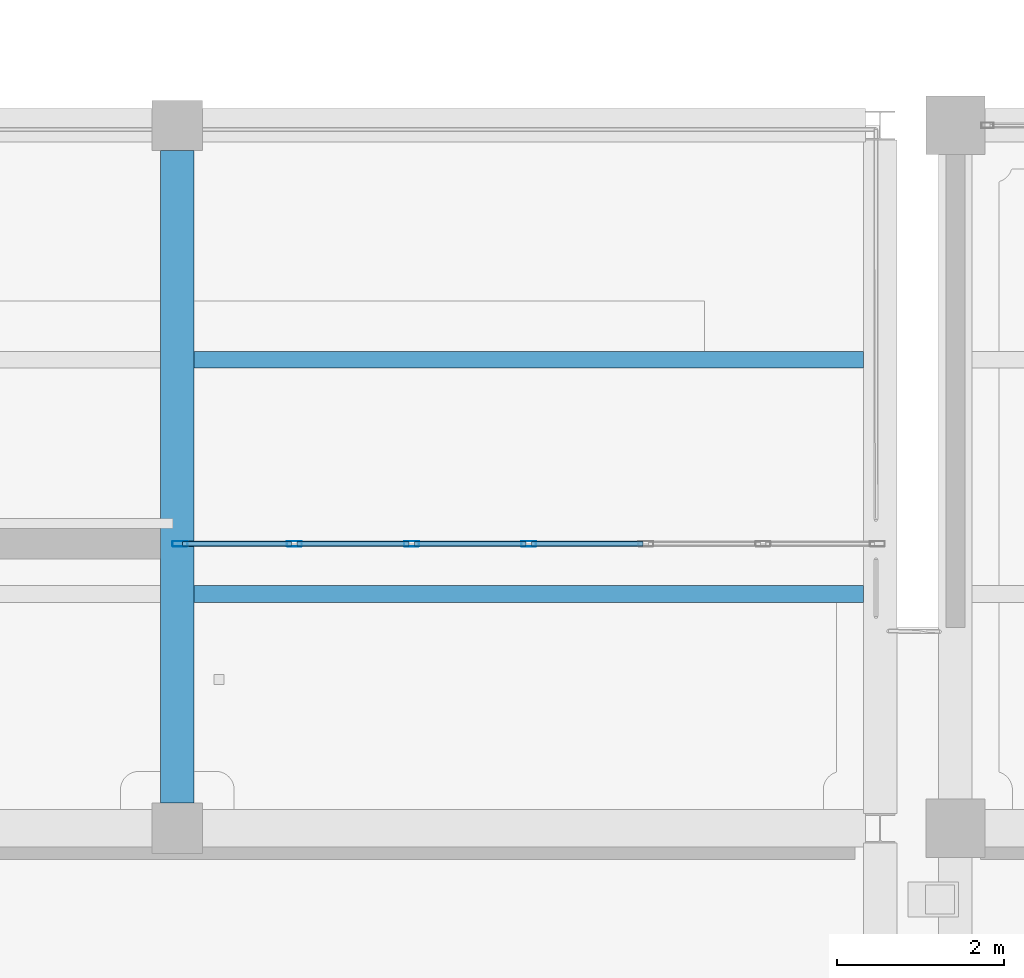
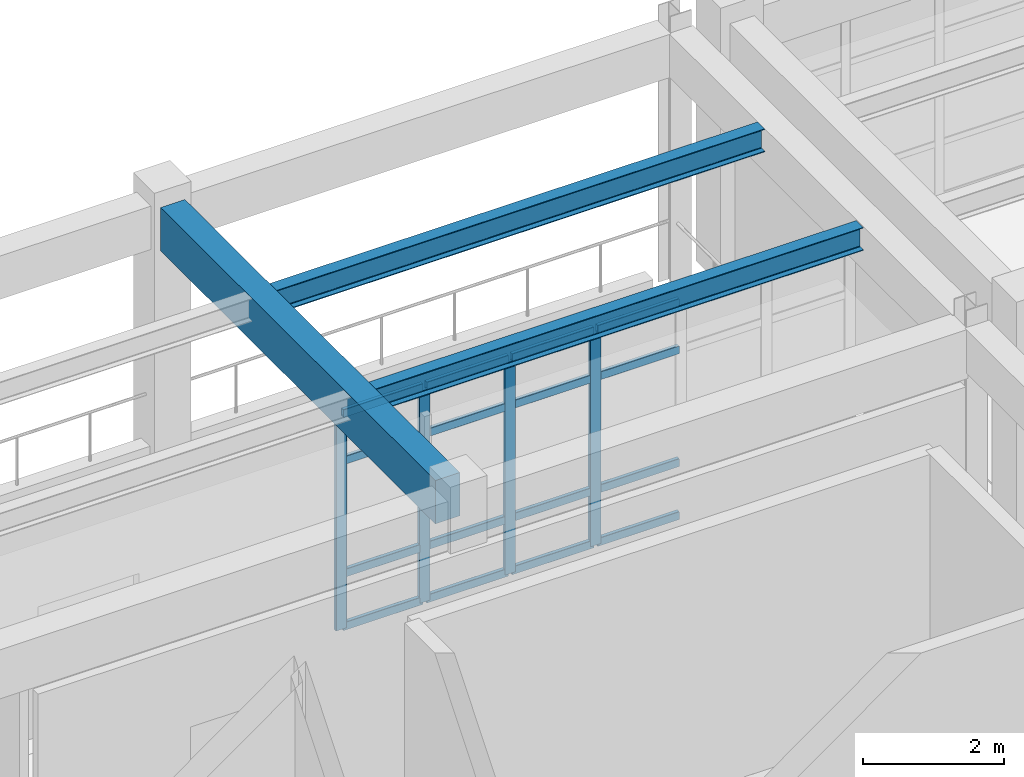
# One storey, part 14 of 98: 20 members, 3 beams, 1 element without a shape of its own.
"""IFC4 building model written with IfcOpenShell, lengths in metres."""

from ifc_helpers import new_model, si_unit, direction, frame, origin, origin_2d, place, context, subcontext, project, spatial, rectangle, hollow_rectangle, i_section, extrude, material, material_profile, profile_set, type_object, element, aggregate, save


model = new_model("IFC4")

# Units and contexts
model_context = context("Model", 3, precision=1e-05, world=origin(), true_north=direction((0.0, 1.0)))
body_context = subcontext(model_context, "Body", "Model", "MODEL_VIEW")
ifc_project = project(units=[si_unit("LENGTHUNIT", "METRE"), si_unit("AREAUNIT", "SQUARE_METRE"), si_unit("VOLUMEUNIT", "CUBIC_METRE"), si_unit("PLANEANGLEUNIT", "RADIAN"), si_unit("MASSUNIT", "GRAM", prefix="KILO")], contexts=[model_context])

# Site, building, storey
site_placement = place(None, origin())
site = spatial("IfcSite", under=ifc_project, at=site_placement, CompositionType="ELEMENT")
building_placement = place(site_placement, origin())
building = spatial("IfcBuilding", under=site, at=building_placement, Name="Canglan Escarpment Cableway Terminal", CompositionType="ELEMENT")
storey_placement = place(building_placement, frame((0.0, 0.0, 9.60009765625)))
storey = spatial("IfcBuildingStorey", under=building, at=storey_placement, Name="L02", CompositionType="ELEMENT", Elevation=9.60009765625)

# Beam
ifc_material_1 = material(Name="Concrete C40", Category="concrete")
ifc_material_profile_1 = material_profile(ifc_material_1, rectangle(XDim=0.39990234375, YDim=0.75, at=origin_2d()), Name="RC 400x750")
ifc_profile_set_1 = profile_set([ifc_material_profile_1], Name="Concrete C40")
beam_type_1 = type_object("IfcBeamType", Name="BM-RC400x750", PredefinedType="BEAM", material=ifc_profile_set_1)
beam_placement = place(storey_placement, frame((67.699951171875, 16.699951171875, 4.14501953125), z_axis=(0.0, 1.0, 0.0), x_axis=(-1.0, 0.0, 0.0)))
element("IfcBeam", 1, at=beam_placement, inside=storey, type_object=beam_type_1, Name="Primary transverse girder B-03", PredefinedType="BEAM", context=body_context, shape_type="SweptSolid", body=[
    extrude(rectangle(XDim=0.39990234375, YDim=0.75, at=origin_2d()), origin(), (0.0, 0.0, 1.0), 7.800048828125),
])

# Curtain wall, members
ifc_material_2 = material(Name="Anodized bronze aluminium and Low-E double glazing", Category="aluminium")
curtain_wall_type = type_object("IfcCurtainWallType", Name="CW-BAY-8400x3750", PredefinedType="NOTDEFINED", material=ifc_material_2)
curtain_wall_placement = place(storey_placement, origin())
curtain_wall = element("IfcCurtainWall", 2, at=curtain_wall_placement, inside=storey, type_object=curtain_wall_type, Name="Classical bay-between-piers glazed curtain wall CW-08", PredefinedType="NOTDEFINED")
ifc_material_3 = material(Name="Thermally broken anodized aluminium 6063-T6", Category="aluminium")
ifc_material_profile_2 = material_profile(ifc_material_3, hollow_rectangle(XDim=0.06494140625, YDim=0.179931640625, WallThickness=0.00390625, InnerFilletRadius=0.00390625, OuterFilletRadius=0.008056640625, at=origin_2d()), Name="ALU-MULL 65x180x4")
ifc_profile_set_2 = profile_set([ifc_material_profile_2], Name="Thermally broken anodized aluminium 6063-T6")
member_type_1 = type_object("IfcMemberType", Name="CWM-03", PredefinedType="MULLION", material=ifc_profile_set_2)
member_1_placement = place(storey_placement, frame((71.89990234375, 19.800048828125, 0.0), z_axis=(0.0, 0.0, 1.0), x_axis=(0.0, -1.0, 0.0)))
member_1 = element("IfcMember", 3, at=member_1_placement, type_object=member_type_1, Name="CW-08 mullion 4", PredefinedType="MULLION", context=body_context, shape_type="SweptSolid", body=[
    extrude(hollow_rectangle(XDim=0.06494140625, YDim=0.179931640625, WallThickness=0.00390625, InnerFilletRadius=0.00390625, OuterFilletRadius=0.008056640625, at=origin_2d()), origin(), (0.0, 0.0, 1.0), 3.7548828125),
])
member_2_placement = place(storey_placement, frame((70.5, 19.800048828125, 0.0), z_axis=(0.0, 0.0, 1.0), x_axis=(0.0, -1.0, 0.0)))
member_2 = element("IfcMember", 4, at=member_2_placement, type_object=member_type_1, Name="CW-08 mullion 5", PredefinedType="MULLION", context=body_context, shape_type="SweptSolid", body=[
    extrude(hollow_rectangle(XDim=0.06494140625, YDim=0.179931640625, WallThickness=0.00390625, InnerFilletRadius=0.00390625, OuterFilletRadius=0.008056640625, at=origin_2d()), origin(), (0.0, 0.0, 1.0), 3.7548828125),
])
member_3_placement = place(storey_placement, frame((69.10009765625, 19.800048828125, 0.0), z_axis=(0.0, 0.0, 1.0), x_axis=(0.0, -1.0, 0.0)))
member_3 = element("IfcMember", 5, at=member_3_placement, type_object=member_type_1, Name="CW-08 mullion 6", PredefinedType="MULLION", context=body_context, shape_type="SweptSolid", body=[
    extrude(hollow_rectangle(XDim=0.06494140625, YDim=0.179931640625, WallThickness=0.00390625, InnerFilletRadius=0.00390625, OuterFilletRadius=0.008056640625, at=origin_2d()), origin(), (0.0, 0.0, 1.0), 3.7548828125),
])
member_4_placement = place(storey_placement, frame((67.732421875, 19.800048828125, 0.0), z_axis=(0.0, 0.0, 1.0), x_axis=(0.0, -1.0, 0.0)))
member_4 = element("IfcMember", 6, at=member_4_placement, type_object=member_type_1, Name="CW-08 mullion 7", PredefinedType="MULLION", context=body_context, shape_type="SweptSolid", body=[
    extrude(hollow_rectangle(XDim=0.06494140625, YDim=0.179931640625, WallThickness=0.00390625, InnerFilletRadius=0.00390625, OuterFilletRadius=0.008056640625, at=origin_2d()), origin(), (0.0, 0.0, 1.0), 3.7548828125),
])
ifc_material_profile_3 = material_profile(ifc_material_3, hollow_rectangle(XDim=0.06494140625, YDim=0.139892578125, WallThickness=0.00341796875, InnerFilletRadius=0.00341796875, OuterFilletRadius=0.007080078125, at=origin_2d()), Name="ALU-TRAN 65x140x3.5")
ifc_profile_set_3 = profile_set([ifc_material_profile_3], Name="Thermally broken anodized aluminium 6063-T6")
member_type_2 = type_object("IfcMemberType", Name="CWT-03", PredefinedType="USERDEFINED", material=ifc_profile_set_3)
member_5_placement = place(storey_placement, frame((73.267578125, 19.800048828125, 0.032470703125), z_axis=(-1.0, 0.0, 0.0), x_axis=(0.0, -1.0, 0.0)))
member_5 = element("IfcMember", 7, at=member_5_placement, type_object=member_type_2, Name="CW-08 transom 3.1", ObjectType="TRANSOM", PredefinedType="USERDEFINED", context=body_context, shape_type="SweptSolid", body=[
    extrude(hollow_rectangle(XDim=0.06494140625, YDim=0.139892578125, WallThickness=0.00341796875, InnerFilletRadius=0.00341796875, OuterFilletRadius=0.007080078125, at=origin_2d()), origin(), (0.0, 0.0, 1.0), 1.3349609375),
])
member_6_placement = place(storey_placement, frame((73.267578125, 19.800048828125, 0.949951171875), z_axis=(-1.0, 0.0, 0.0), x_axis=(0.0, -1.0, 0.0)))
member_6 = element("IfcMember", 8, at=member_6_placement, type_object=member_type_2, Name="CW-08 transom 3.2", ObjectType="TRANSOM", PredefinedType="USERDEFINED", context=body_context, shape_type="SweptSolid", body=[
    extrude(hollow_rectangle(XDim=0.06494140625, YDim=0.139892578125, WallThickness=0.00341796875, InnerFilletRadius=0.00341796875, OuterFilletRadius=0.007080078125, at=origin_2d()), origin(), (0.0, 0.0, 1.0), 1.3349609375),
])
member_7_placement = place(storey_placement, frame((73.267578125, 19.800048828125, 2.90478515625), z_axis=(-1.0, 0.0, 0.0), x_axis=(0.0, -1.0, 0.0)))
member_7 = element("IfcMember", 9, at=member_7_placement, type_object=member_type_2, Name="CW-08 transom 3.3", ObjectType="TRANSOM", PredefinedType="USERDEFINED", context=body_context, shape_type="SweptSolid", body=[
    extrude(hollow_rectangle(XDim=0.06494140625, YDim=0.139892578125, WallThickness=0.00341796875, InnerFilletRadius=0.00341796875, OuterFilletRadius=0.007080078125, at=origin_2d()), origin(), (0.0, 0.0, 1.0), 1.3349609375),
])
member_8_placement = place(storey_placement, frame((73.267578125, 19.800048828125, 3.722412109375), z_axis=(-1.0, 0.0, 0.0), x_axis=(0.0, -1.0, 0.0)))
member_8 = element("IfcMember", 10, at=member_8_placement, type_object=member_type_2, Name="CW-08 transom 3.4", ObjectType="TRANSOM", PredefinedType="USERDEFINED", context=body_context, shape_type="SweptSolid", body=[
    extrude(hollow_rectangle(XDim=0.06494140625, YDim=0.139892578125, WallThickness=0.00341796875, InnerFilletRadius=0.00341796875, OuterFilletRadius=0.007080078125, at=origin_2d()), origin(), (0.0, 0.0, 1.0), 1.3349609375),
])
member_9_placement = place(storey_placement, frame((71.867431640625, 19.800048828125, 0.032470703125), z_axis=(-1.0, 0.0, 0.0), x_axis=(0.0, -1.0, 0.0)))
member_9 = element("IfcMember", 11, at=member_9_placement, type_object=member_type_2, Name="CW-08 transom 4.1", ObjectType="TRANSOM", PredefinedType="USERDEFINED", context=body_context, shape_type="SweptSolid", body=[
    extrude(hollow_rectangle(XDim=0.06494140625, YDim=0.139892578125, WallThickness=0.00341796875, InnerFilletRadius=0.00341796875, OuterFilletRadius=0.007080078125, at=origin_2d()), origin(), (0.0, 0.0, 1.0), 1.3349609375),
])
member_10_placement = place(storey_placement, frame((71.867431640625, 19.800048828125, 0.949951171875), z_axis=(-1.0, 0.0, 0.0), x_axis=(0.0, -1.0, 0.0)))
member_10 = element("IfcMember", 12, at=member_10_placement, type_object=member_type_2, Name="CW-08 transom 4.2", ObjectType="TRANSOM", PredefinedType="USERDEFINED", context=body_context, shape_type="SweptSolid", body=[
    extrude(hollow_rectangle(XDim=0.06494140625, YDim=0.139892578125, WallThickness=0.00341796875, InnerFilletRadius=0.00341796875, OuterFilletRadius=0.007080078125, at=origin_2d()), origin(), (0.0, 0.0, 1.0), 1.3349609375),
])
member_11_placement = place(storey_placement, frame((71.867431640625, 19.800048828125, 2.90478515625), z_axis=(-1.0, 0.0, 0.0), x_axis=(0.0, -1.0, 0.0)))
member_11 = element("IfcMember", 13, at=member_11_placement, type_object=member_type_2, Name="CW-08 transom 4.3", ObjectType="TRANSOM", PredefinedType="USERDEFINED", context=body_context, shape_type="SweptSolid", body=[
    extrude(hollow_rectangle(XDim=0.06494140625, YDim=0.139892578125, WallThickness=0.00341796875, InnerFilletRadius=0.00341796875, OuterFilletRadius=0.007080078125, at=origin_2d()), origin(), (0.0, 0.0, 1.0), 1.3349609375),
])
member_12_placement = place(storey_placement, frame((71.867431640625, 19.800048828125, 3.722412109375), z_axis=(-1.0, 0.0, 0.0), x_axis=(0.0, -1.0, 0.0)))
member_12 = element("IfcMember", 14, at=member_12_placement, type_object=member_type_2, Name="CW-08 transom 4.4", ObjectType="TRANSOM", PredefinedType="USERDEFINED", context=body_context, shape_type="SweptSolid", body=[
    extrude(hollow_rectangle(XDim=0.06494140625, YDim=0.139892578125, WallThickness=0.00341796875, InnerFilletRadius=0.00341796875, OuterFilletRadius=0.007080078125, at=origin_2d()), origin(), (0.0, 0.0, 1.0), 1.3349609375),
])
member_13_placement = place(storey_placement, frame((70.467529296875, 19.800048828125, 0.032470703125), z_axis=(-1.0, 0.0, 0.0), x_axis=(0.0, -1.0, 0.0)))
member_13 = element("IfcMember", 15, at=member_13_placement, type_object=member_type_2, Name="CW-08 transom 5.1", ObjectType="TRANSOM", PredefinedType="USERDEFINED", context=body_context, shape_type="SweptSolid", body=[
    extrude(hollow_rectangle(XDim=0.06494140625, YDim=0.139892578125, WallThickness=0.00341796875, InnerFilletRadius=0.00341796875, OuterFilletRadius=0.007080078125, at=origin_2d()), origin(), (0.0, 0.0, 1.0), 1.3349609375),
])
member_14_placement = place(storey_placement, frame((70.467529296875, 19.800048828125, 0.949951171875), z_axis=(-1.0, 0.0, 0.0), x_axis=(0.0, -1.0, 0.0)))
member_14 = element("IfcMember", 16, at=member_14_placement, type_object=member_type_2, Name="CW-08 transom 5.2", ObjectType="TRANSOM", PredefinedType="USERDEFINED", context=body_context, shape_type="SweptSolid", body=[
    extrude(hollow_rectangle(XDim=0.06494140625, YDim=0.139892578125, WallThickness=0.00341796875, InnerFilletRadius=0.00341796875, OuterFilletRadius=0.007080078125, at=origin_2d()), origin(), (0.0, 0.0, 1.0), 1.3349609375),
])
member_15_placement = place(storey_placement, frame((70.467529296875, 19.800048828125, 2.90478515625), z_axis=(-1.0, 0.0, 0.0), x_axis=(0.0, -1.0, 0.0)))
member_15 = element("IfcMember", 17, at=member_15_placement, type_object=member_type_2, Name="CW-08 transom 5.3", ObjectType="TRANSOM", PredefinedType="USERDEFINED", context=body_context, shape_type="SweptSolid", body=[
    extrude(hollow_rectangle(XDim=0.06494140625, YDim=0.139892578125, WallThickness=0.00341796875, InnerFilletRadius=0.00341796875, OuterFilletRadius=0.007080078125, at=origin_2d()), origin(), (0.0, 0.0, 1.0), 1.3349609375),
])
member_16_placement = place(storey_placement, frame((70.467529296875, 19.800048828125, 3.722412109375), z_axis=(-1.0, 0.0, 0.0), x_axis=(0.0, -1.0, 0.0)))
member_16 = element("IfcMember", 18, at=member_16_placement, type_object=member_type_2, Name="CW-08 transom 5.4", ObjectType="TRANSOM", PredefinedType="USERDEFINED", context=body_context, shape_type="SweptSolid", body=[
    extrude(hollow_rectangle(XDim=0.06494140625, YDim=0.139892578125, WallThickness=0.00341796875, InnerFilletRadius=0.00341796875, OuterFilletRadius=0.007080078125, at=origin_2d()), origin(), (0.0, 0.0, 1.0), 1.3349609375),
])
member_17_placement = place(storey_placement, frame((69.0673828125, 19.800048828125, 0.032470703125), z_axis=(-1.0, 0.0, 0.0), x_axis=(0.0, -1.0, 0.0)))
member_17 = element("IfcMember", 19, at=member_17_placement, type_object=member_type_2, Name="CW-08 transom 6.1", ObjectType="TRANSOM", PredefinedType="USERDEFINED", context=body_context, shape_type="SweptSolid", body=[
    extrude(hollow_rectangle(XDim=0.06494140625, YDim=0.139892578125, WallThickness=0.00341796875, InnerFilletRadius=0.00341796875, OuterFilletRadius=0.007080078125, at=origin_2d()), origin(), (0.0, 0.0, 1.0), 1.302490234375),
])
member_18_placement = place(storey_placement, frame((69.0673828125, 19.800048828125, 0.949951171875), z_axis=(-1.0, 0.0, 0.0), x_axis=(0.0, -1.0, 0.0)))
member_18 = element("IfcMember", 20, at=member_18_placement, type_object=member_type_2, Name="CW-08 transom 6.2", ObjectType="TRANSOM", PredefinedType="USERDEFINED", context=body_context, shape_type="SweptSolid", body=[
    extrude(hollow_rectangle(XDim=0.06494140625, YDim=0.139892578125, WallThickness=0.00341796875, InnerFilletRadius=0.00341796875, OuterFilletRadius=0.007080078125, at=origin_2d()), origin(), (0.0, 0.0, 1.0), 1.302490234375),
])
member_19_placement = place(storey_placement, frame((69.0673828125, 19.800048828125, 2.90478515625), z_axis=(-1.0, 0.0, 0.0), x_axis=(0.0, -1.0, 0.0)))
member_19 = element("IfcMember", 21, at=member_19_placement, type_object=member_type_2, Name="CW-08 transom 6.3", ObjectType="TRANSOM", PredefinedType="USERDEFINED", context=body_context, shape_type="SweptSolid", body=[
    extrude(hollow_rectangle(XDim=0.06494140625, YDim=0.139892578125, WallThickness=0.00341796875, InnerFilletRadius=0.00341796875, OuterFilletRadius=0.007080078125, at=origin_2d()), origin(), (0.0, 0.0, 1.0), 1.302490234375),
])
member_20_placement = place(storey_placement, frame((69.0673828125, 19.800048828125, 3.722412109375), z_axis=(-1.0, 0.0, 0.0), x_axis=(0.0, -1.0, 0.0)))
member_20 = element("IfcMember", 22, at=member_20_placement, type_object=member_type_2, Name="CW-08 transom 6.4", ObjectType="TRANSOM", PredefinedType="USERDEFINED", context=body_context, shape_type="SweptSolid", body=[
    extrude(hollow_rectangle(XDim=0.06494140625, YDim=0.139892578125, WallThickness=0.00341796875, InnerFilletRadius=0.00341796875, OuterFilletRadius=0.007080078125, at=origin_2d()), origin(), (0.0, 0.0, 1.0), 1.302490234375),
])
aggregate(curtain_wall, [member_1, member_2, member_3, member_4, member_5, member_6, member_7, member_8, member_9, member_10, member_11, member_12, member_13, member_14, member_15, member_16, member_17, member_18, member_19, member_20])

# Beams
ifc_material_4 = material(Name="Steel Q355B", Category="steel")
ifc_material_profile_4 = material_profile(ifc_material_4, i_section(OverallWidth=0.199951171875, OverallDepth=0.39990234375, WebThickness=0.008056640625, FlangeThickness=0.012939453125, FilletRadius=0.01611328125, at=origin_2d()), Name="HN 400x200x8x13")
ifc_profile_set_4 = profile_set([ifc_material_profile_4], Name="Steel Q355B")
beam_type_2 = type_object("IfcBeamType", Name="JS-HN400", PredefinedType="JOIST", material=ifc_profile_set_4)
for number, where, z_axis, x_axis, name in (
    (23, (67.89990234375, 19.199951171875, 4.309814453125), (1.0, 0.0, 0.0), (0.0, 1.0, 0.0), "Secondary composite deck joist J-03"),
    (24, (67.89990234375, 22.0, 4.31982421875), (1.0, 0.0, 0.0), (0.0, 1.0, 0.0), "Secondary composite deck joist J-03"),
):
    element("IfcBeam", number, at=place(storey_placement, frame(where, z_axis=z_axis, x_axis=x_axis)), inside=storey, type_object=beam_type_2, Name=name, PredefinedType="JOIST", context=body_context, shape_type="SweptSolid", body=[
        extrude(i_section(OverallWidth=0.199951171875, OverallDepth=0.39990234375, WebThickness=0.008056640625, FlangeThickness=0.012939453125, FilletRadius=0.01611328125, at=origin_2d()), origin(), (0.0, 0.0, 1.0), 8.0),
    ])

save(model, "model.ifc")
